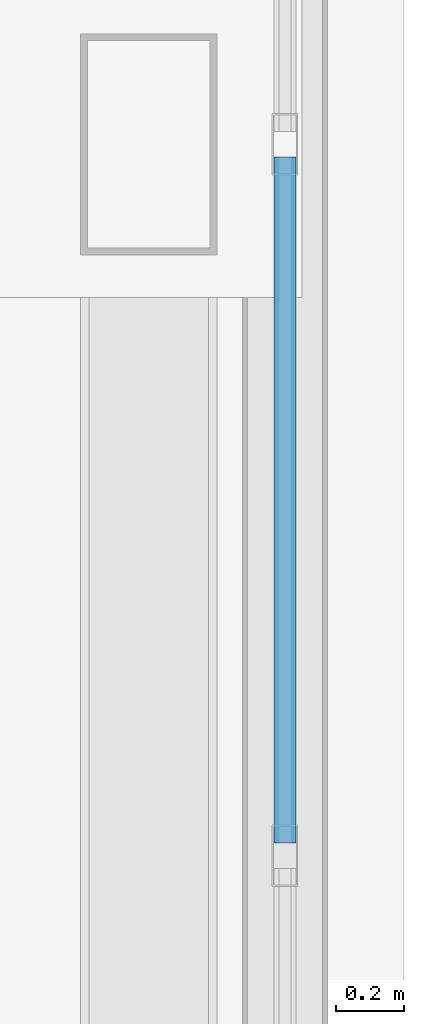
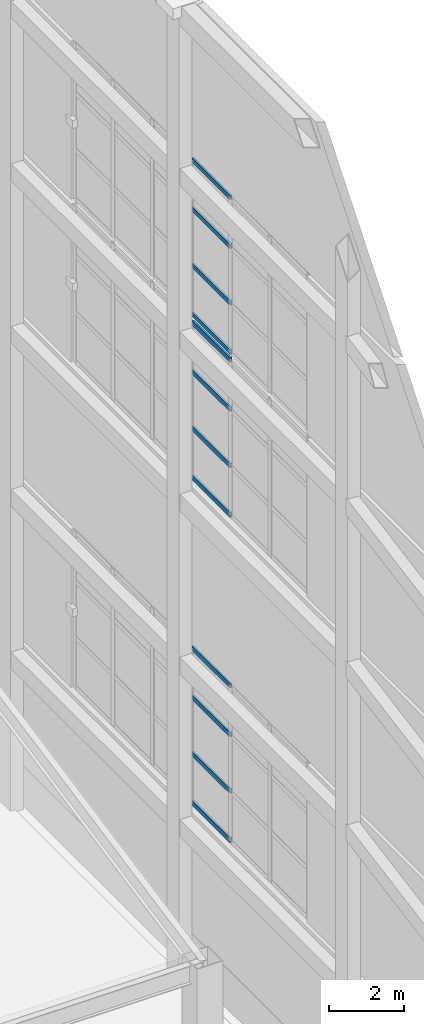
# One storey, part 31 of 47: 12 members, 3 elements without a shape of their own.
"""IFC4 building model written with IfcOpenShell, lengths in metres."""

from ifc_helpers import new_model, si_unit, direction, frame, origin, origin_2d, place, context, subcontext, project, spatial, hollow_rectangle, extrude, material, layer, layer_set, material_profile, profile_set, type_object, element, aggregate, save


model = new_model("IFC4")

# Units and contexts
model_context = context("Model", 3, precision=1e-05, world=origin(), true_north=direction((0.0, 1.0)))
body_context = subcontext(model_context, "Body", "Model", "MODEL_VIEW")
ifc_project = project(units=[si_unit("LENGTHUNIT", "METRE"), si_unit("AREAUNIT", "SQUARE_METRE"), si_unit("VOLUMEUNIT", "CUBIC_METRE"), si_unit("PLANEANGLEUNIT", "RADIAN"), si_unit("MASSUNIT", "GRAM", prefix="KILO")], contexts=[model_context])

# Site, building, storey
site_placement = place(None, origin())
site = spatial("IfcSite", under=ifc_project, at=site_placement, CompositionType="ELEMENT")
building_placement = place(site_placement, origin())
building = spatial("IfcBuilding", under=site, at=building_placement, Name="Qiaolan Cultural Towers", CompositionType="ELEMENT")
storey_placement = place(building_placement, frame((0.0, 0.0, 280.199951171875)))
storey = spatial("IfcBuildingStorey", under=building, at=storey_placement, Name="RF", CompositionType="ELEMENT", Elevation=280.199951171875)

# Curtain wall, members
ifc_material_1 = material(Name="Unitized Anodized Aluminium Curtain Wall System", Category="aluminium")
ifc_layer = layer(ifc_material_1, 0.199951171875)
ifc_layer_set = layer_set([ifc_layer], Name="Unitized Anodized Aluminium Curtain Wall System")
curtain_wall_type = type_object("IfcCurtainWallType", Name="CWS-06", PredefinedType="NOTDEFINED", material=ifc_layer_set)
curtain_wall_1_placement = place(storey_placement, origin())
curtain_wall_1 = element("IfcCurtainWall", 1, at=curtain_wall_1_placement, inside=storey, type_object=curtain_wall_type, Name="T1 Crown Tier 2 Fritted Screen Curtain Wall 3", PredefinedType="NOTDEFINED")
ifc_material_2 = material(Name="Extruded Aluminium 6063-T6", Category="aluminium")
ifc_material_profile = material_profile(ifc_material_2, hollow_rectangle(XDim=0.06494140625, YDim=0.14990234375, WallThickness=0.00390625, at=origin_2d()), Name="CWT-150x65x4")
ifc_profile_set = profile_set([ifc_material_profile], Name="Extruded Aluminium 6063-T6")
member_type = type_object("IfcMemberType", Name="CWS-06-TRN", PredefinedType="USERDEFINED", material=ifc_profile_set)
member_1_placement = place(storey_placement, frame((45.050048828125, 31.947509765625, 5.4326171875), z_axis=(0.0, 1.0, 0.0), x_axis=(-1.0, 0.0, 0.0)))
member_1 = element("IfcMember", 2, at=member_1_placement, type_object=member_type, Name="CW-6 transom 3.1", ObjectType="TRANSOM", PredefinedType="USERDEFINED", context=body_context, shape_type="SweptSolid", body=[
    extrude(hollow_rectangle(XDim=0.06494140625, YDim=0.14990234375, WallThickness=0.00390625, at=origin_2d()), origin(), (0.0, 0.0, 1.0), 2.014892578125),
])
member_2_placement = place(storey_placement, frame((45.050048828125, 31.947509765625, 7.030029296875), z_axis=(0.0, 1.0, 0.0), x_axis=(-1.0, 0.0, 0.0)))
member_2 = element("IfcMember", 3, at=member_2_placement, type_object=member_type, Name="CW-6 transom 3.2", ObjectType="TRANSOM", PredefinedType="USERDEFINED", context=body_context, shape_type="SweptSolid", body=[
    extrude(hollow_rectangle(XDim=0.06494140625, YDim=0.14990234375, WallThickness=0.00390625, at=origin_2d()), origin(), (0.0, 0.0, 1.0), 2.014892578125),
])
member_3_placement = place(storey_placement, frame((45.050048828125, 31.947509765625, 8.8701171875), z_axis=(0.0, 1.0, 0.0), x_axis=(-1.0, 0.0, 0.0)))
member_3 = element("IfcMember", 4, at=member_3_placement, type_object=member_type, Name="CW-6 transom 3.3", ObjectType="TRANSOM", PredefinedType="USERDEFINED", context=body_context, shape_type="SweptSolid", body=[
    extrude(hollow_rectangle(XDim=0.06494140625, YDim=0.14990234375, WallThickness=0.00390625, at=origin_2d()), origin(), (0.0, 0.0, 1.0), 2.014892578125),
])
member_4_placement = place(storey_placement, frame((45.050048828125, 31.947509765625, 10.467529296875), z_axis=(0.0, 1.0, 0.0), x_axis=(-1.0, 0.0, 0.0)))
member_4 = element("IfcMember", 5, at=member_4_placement, type_object=member_type, Name="CW-6 transom 3.4", ObjectType="TRANSOM", PredefinedType="USERDEFINED", context=body_context, shape_type="SweptSolid", body=[
    extrude(hollow_rectangle(XDim=0.06494140625, YDim=0.14990234375, WallThickness=0.00390625, at=origin_2d()), origin(), (0.0, 0.0, 1.0), 2.014892578125),
])
aggregate(curtain_wall_1, [member_1, member_2, member_3, member_4])

curtain_wall_2_placement = place(storey_placement, origin())
curtain_wall_2 = element("IfcCurtainWall", 6, at=curtain_wall_2_placement, inside=storey, type_object=curtain_wall_type, Name="T1 Crown Tier 4 Fritted Screen Curtain Wall 3", PredefinedType="NOTDEFINED")
member_5_placement = place(storey_placement, frame((45.050048828125, 31.947509765625, 16.032470703125), z_axis=(0.0, 1.0, 0.0), x_axis=(-1.0, 0.0, 0.0)))
member_5 = element("IfcMember", 7, at=member_5_placement, type_object=member_type, Name="CW-6 transom 3.1", ObjectType="TRANSOM", PredefinedType="USERDEFINED", context=body_context, shape_type="SweptSolid", body=[
    extrude(hollow_rectangle(XDim=0.06494140625, YDim=0.14990234375, WallThickness=0.00390625, at=origin_2d()), origin(), (0.0, 0.0, 1.0), 2.014892578125),
])
member_6_placement = place(storey_placement, frame((45.050048828125, 31.947509765625, 17.630126953125), z_axis=(0.0, 1.0, 0.0), x_axis=(-1.0, 0.0, 0.0)))
member_6 = element("IfcMember", 8, at=member_6_placement, type_object=member_type, Name="CW-6 transom 3.2", ObjectType="TRANSOM", PredefinedType="USERDEFINED", context=body_context, shape_type="SweptSolid", body=[
    extrude(hollow_rectangle(XDim=0.06494140625, YDim=0.14990234375, WallThickness=0.00390625, at=origin_2d()), origin(), (0.0, 0.0, 1.0), 2.014892578125),
])
member_7_placement = place(storey_placement, frame((45.050048828125, 31.947509765625, 19.469970703125), z_axis=(0.0, 1.0, 0.0), x_axis=(-1.0, 0.0, 0.0)))
member_7 = element("IfcMember", 9, at=member_7_placement, type_object=member_type, Name="CW-6 transom 3.3", ObjectType="TRANSOM", PredefinedType="USERDEFINED", context=body_context, shape_type="SweptSolid", body=[
    extrude(hollow_rectangle(XDim=0.06494140625, YDim=0.14990234375, WallThickness=0.00390625, at=origin_2d()), origin(), (0.0, 0.0, 1.0), 2.014892578125),
])
member_8_placement = place(storey_placement, frame((45.050048828125, 31.947509765625, 21.067626953125), z_axis=(0.0, 1.0, 0.0), x_axis=(-1.0, 0.0, 0.0)))
member_8 = element("IfcMember", 10, at=member_8_placement, type_object=member_type, Name="CW-6 transom 3.4", ObjectType="TRANSOM", PredefinedType="USERDEFINED", context=body_context, shape_type="SweptSolid", body=[
    extrude(hollow_rectangle(XDim=0.06494140625, YDim=0.14990234375, WallThickness=0.00390625, at=origin_2d()), origin(), (0.0, 0.0, 1.0), 2.014892578125),
])
aggregate(curtain_wall_2, [member_5, member_6, member_7, member_8])

curtain_wall_3_placement = place(storey_placement, origin())
curtain_wall_3 = element("IfcCurtainWall", 11, at=curtain_wall_3_placement, inside=storey, type_object=curtain_wall_type, Name="T1 Crown Tier 5 Fritted Screen Curtain Wall 3", PredefinedType="NOTDEFINED")
member_9_placement = place(storey_placement, frame((45.050048828125, 31.947509765625, 21.33251953125), z_axis=(0.0, 1.0, 0.0), x_axis=(-1.0, 0.0, 0.0)))
member_9 = element("IfcMember", 12, at=member_9_placement, type_object=member_type, Name="CW-6 transom 3.1", ObjectType="TRANSOM", PredefinedType="USERDEFINED", context=body_context, shape_type="SweptSolid", body=[
    extrude(hollow_rectangle(XDim=0.06494140625, YDim=0.14990234375, WallThickness=0.00390625, at=origin_2d()), origin(), (0.0, 0.0, 1.0), 2.014892578125),
])
member_10_placement = place(storey_placement, frame((45.050048828125, 31.947509765625, 22.929931640625), z_axis=(0.0, 1.0, 0.0), x_axis=(-1.0, 0.0, 0.0)))
member_10 = element("IfcMember", 13, at=member_10_placement, type_object=member_type, Name="CW-6 transom 3.2", ObjectType="TRANSOM", PredefinedType="USERDEFINED", context=body_context, shape_type="SweptSolid", body=[
    extrude(hollow_rectangle(XDim=0.06494140625, YDim=0.14990234375, WallThickness=0.00390625, at=origin_2d()), origin(), (0.0, 0.0, 1.0), 2.014892578125),
])
member_11_placement = place(storey_placement, frame((45.050048828125, 31.947509765625, 24.77001953125), z_axis=(0.0, 1.0, 0.0), x_axis=(-1.0, 0.0, 0.0)))
member_11 = element("IfcMember", 14, at=member_11_placement, type_object=member_type, Name="CW-6 transom 3.3", ObjectType="TRANSOM", PredefinedType="USERDEFINED", context=body_context, shape_type="SweptSolid", body=[
    extrude(hollow_rectangle(XDim=0.06494140625, YDim=0.14990234375, WallThickness=0.00390625, at=origin_2d()), origin(), (0.0, 0.0, 1.0), 2.014892578125),
])
member_12_placement = place(storey_placement, frame((45.050048828125, 31.947509765625, 26.367431640625), z_axis=(0.0, 1.0, 0.0), x_axis=(-1.0, 0.0, 0.0)))
member_12 = element("IfcMember", 15, at=member_12_placement, type_object=member_type, Name="CW-6 transom 3.4", ObjectType="TRANSOM", PredefinedType="USERDEFINED", context=body_context, shape_type="SweptSolid", body=[
    extrude(hollow_rectangle(XDim=0.06494140625, YDim=0.14990234375, WallThickness=0.00390625, at=origin_2d()), origin(), (0.0, 0.0, 1.0), 2.014892578125),
])
aggregate(curtain_wall_3, [member_9, member_10, member_11, member_12])

save(model, "model.ifc")
